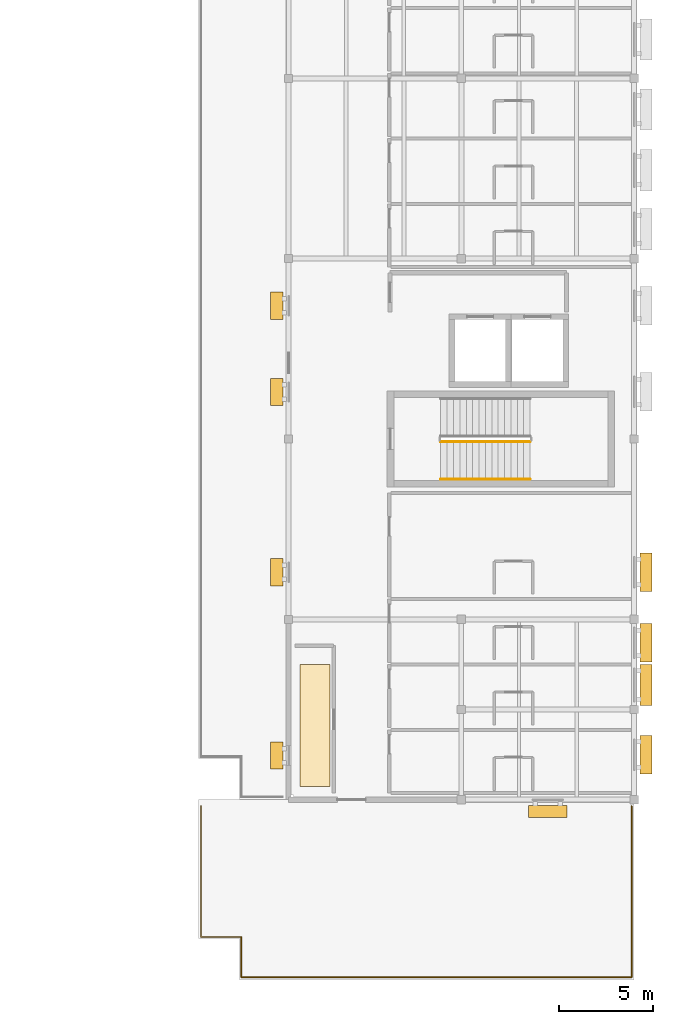
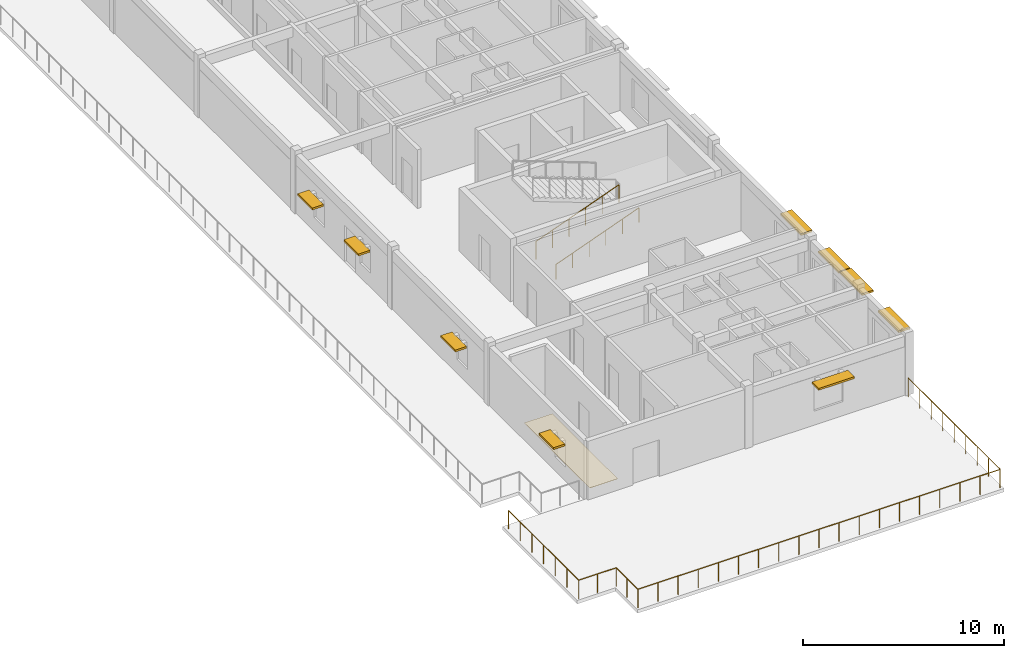
# One storey, part 14 of 18: 9 shading devices, 3 railings, 1 covering.
"""IFC4 building model written with IfcOpenShell, lengths in metres."""

from ifc_helpers import new_model, si_unit, direction, frame, origin, origin_2d, place, context, subcontext, project, spatial, polyline, rectangle, circle, outline, extrude, material, layer, layer_set, type_object, element, save


model = new_model("IFC4")

# Units and contexts
model_context = context("Model", 3, precision=1e-05, world=origin(), true_north=direction((0.0, 1.0)))
body_context = subcontext(model_context, "Body", "Model", "MODEL_VIEW")
ifc_project = project(units=[si_unit("LENGTHUNIT", "METRE"), si_unit("AREAUNIT", "SQUARE_METRE"), si_unit("VOLUMEUNIT", "CUBIC_METRE"), si_unit("PLANEANGLEUNIT", "RADIAN"), si_unit("MASSUNIT", "GRAM", prefix="KILO")], contexts=[model_context])

# Site, building, storey
site_placement = place(None, origin())
site = spatial("IfcSite", under=ifc_project, at=site_placement, CompositionType="ELEMENT")
building_placement = place(site_placement, origin())
building = spatial("IfcBuilding", under=site, at=building_placement, Name="Veldera Park Congress Hotel", CompositionType="ELEMENT")
storey_placement = place(building_placement, frame((0.0, 0.0, 31.39990234375)))
storey = spatial("IfcBuildingStorey", under=building, at=storey_placement, Name="L07", CompositionType="ELEMENT", Elevation=31.39990234375)

# Railing
ifc_material_1 = material(Name="Low-E Triple Insulating Glass Unit (SHGC 0.22)", Category="glass")
railing_type_1 = type_object("IfcRailingType", Name="BAL-TER115", PredefinedType="BALUSTRADE", material=ifc_material_1)
railing_1_placement = place(storey_placement, frame((60.93994140625, -28.5400390625, 0.0)))
element("IfcRailing", 1, at=railing_1_placement, inside=storey, type_object=railing_type_1, Name="L07 Terrace Guard 005", PredefinedType="BALUSTRADE", context=body_context, shape_type="SweptSolid", body=[
    extrude(circle(Radius=0.02392578125, at=origin_2d()), frame((0.0, 0.0, 1.1259765625), z_axis=(0.0, -1.0, 0.0), x_axis=(1.0, 0.0, 0.0)), (0.0, 0.0, 1.0), 6.969970703125),
    extrude(circle(Radius=0.02392578125, at=origin_2d()), frame((0.0, -6.969970703125, 1.1259765625), z_axis=(1.0, 0.0, 0.0), x_axis=(0.0, 1.0, 0.0)), (0.0, 0.0, 1.0), 2.150146484375),
    extrude(circle(Radius=0.02392578125, at=origin_2d()), frame((2.150146484375, -6.969970703125, 1.1259765625), z_axis=(0.0, -1.0, 0.0), x_axis=(1.0, 0.0, 0.0)), (0.0, 0.0, 1.0), 2.14990234375),
    extrude(circle(Radius=0.02392578125, at=origin_2d()), frame((2.150146484375, -9.119873046875, 1.1259765625), z_axis=(1.0, 0.0, 0.0), x_axis=(0.0, 1.0, 0.0)), (0.0, 0.0, 1.0), 20.77001953125),
    extrude(circle(Radius=0.02392578125, at=origin_2d()), frame((22.920166015625, -9.119873046875, 1.1259765625), z_axis=(0.0, 1.0, 0.0), x_axis=(-1.0, 0.0, 0.0)), (0.0, 0.0, 1.0), 9.119873046875),
    extrude(circle(Radius=0.02099609375, at=origin_2d()), origin(), (0.0, 0.0, 1.0), 1.101806640625),
    extrude(circle(Radius=0.02099609375, at=origin_2d()), frame((0.0, -1.16162109375, 0.0)), (0.0, 0.0, 1.0), 1.101806640625),
    extrude(circle(Radius=0.02099609375, at=origin_2d()), frame((0.0, -2.3232421875, 0.0)), (0.0, 0.0, 1.0), 1.101806640625),
    extrude(circle(Radius=0.02099609375, at=origin_2d()), frame((0.0, -3.48486328125, 0.0)), (0.0, 0.0, 1.0), 1.101806640625),
    extrude(circle(Radius=0.02099609375, at=origin_2d()), frame((0.0, -4.646728515625, 0.0)), (0.0, 0.0, 1.0), 1.101806640625),
    extrude(circle(Radius=0.02099609375, at=origin_2d()), frame((0.0, -5.808349609375, 0.0)), (0.0, 0.0, 1.0), 1.101806640625),
    extrude(circle(Radius=0.02099609375, at=origin_2d()), frame((0.0, -6.969970703125, 0.0)), (0.0, 0.0, 1.0), 1.101806640625),
    extrude(circle(Radius=0.02099609375, at=origin_2d()), frame((1.0751953125, -6.969970703125, 0.0)), (0.0, 0.0, 1.0), 1.101806640625),
    extrude(circle(Radius=0.02099609375, at=origin_2d()), frame((2.150146484375, -6.969970703125, 0.0)), (0.0, 0.0, 1.0), 1.101806640625),
    extrude(circle(Radius=0.02099609375, at=origin_2d()), frame((2.150146484375, -8.044921875, 0.0)), (0.0, 0.0, 1.0), 1.101806640625),
    extrude(circle(Radius=0.02099609375, at=origin_2d()), frame((2.150146484375, -9.119873046875, 0.0)), (0.0, 0.0, 1.0), 1.101806640625),
    extrude(circle(Radius=0.02099609375, at=origin_2d()), frame((3.303955078125, -9.119873046875, 0.0)), (0.0, 0.0, 1.0), 1.101806640625),
    extrude(circle(Radius=0.02099609375, at=origin_2d()), frame((4.4580078125, -9.119873046875, 0.0)), (0.0, 0.0, 1.0), 1.101806640625),
    extrude(circle(Radius=0.02099609375, at=origin_2d()), frame((5.61181640625, -9.119873046875, 0.0)), (0.0, 0.0, 1.0), 1.101806640625),
    extrude(circle(Radius=0.02099609375, at=origin_2d()), frame((6.765625, -9.119873046875, 0.0)), (0.0, 0.0, 1.0), 1.101806640625),
    extrude(circle(Radius=0.02099609375, at=origin_2d()), frame((7.919677734375, -9.119873046875, 0.0)), (0.0, 0.0, 1.0), 1.101806640625),
    extrude(circle(Radius=0.02099609375, at=origin_2d()), frame((9.073486328125, -9.119873046875, 0.0)), (0.0, 0.0, 1.0), 1.101806640625),
    extrude(circle(Radius=0.02099609375, at=origin_2d()), frame((10.227294921875, -9.119873046875, 0.0)), (0.0, 0.0, 1.0), 1.101806640625),
    extrude(circle(Radius=0.02099609375, at=origin_2d()), frame((11.38134765625, -9.119873046875, 0.0)), (0.0, 0.0, 1.0), 1.101806640625),
    extrude(circle(Radius=0.02099609375, at=origin_2d()), frame((12.53515625, -9.119873046875, 0.0)), (0.0, 0.0, 1.0), 1.101806640625),
    extrude(circle(Radius=0.02099609375, at=origin_2d()), frame((13.68896484375, -9.119873046875, 0.0)), (0.0, 0.0, 1.0), 1.101806640625),
    extrude(circle(Radius=0.02099609375, at=origin_2d()), frame((14.843017578125, -9.119873046875, 0.0)), (0.0, 0.0, 1.0), 1.101806640625),
    extrude(circle(Radius=0.02099609375, at=origin_2d()), frame((15.996826171875, -9.119873046875, 0.0)), (0.0, 0.0, 1.0), 1.101806640625),
    extrude(circle(Radius=0.02099609375, at=origin_2d()), frame((17.150634765625, -9.119873046875, 0.0)), (0.0, 0.0, 1.0), 1.101806640625),
    extrude(circle(Radius=0.02099609375, at=origin_2d()), frame((18.3046875, -9.119873046875, 0.0)), (0.0, 0.0, 1.0), 1.101806640625),
    extrude(circle(Radius=0.02099609375, at=origin_2d()), frame((19.45849609375, -9.119873046875, 0.0)), (0.0, 0.0, 1.0), 1.101806640625),
    extrude(circle(Radius=0.02099609375, at=origin_2d()), frame((20.6123046875, -9.119873046875, 0.0)), (0.0, 0.0, 1.0), 1.101806640625),
    extrude(circle(Radius=0.02099609375, at=origin_2d()), frame((21.766357421875, -9.119873046875, 0.0)), (0.0, 0.0, 1.0), 1.101806640625),
    extrude(circle(Radius=0.02099609375, at=origin_2d()), frame((22.920166015625, -9.119873046875, 0.0)), (0.0, 0.0, 1.0), 1.101806640625),
    extrude(circle(Radius=0.02099609375, at=origin_2d()), frame((22.920166015625, -7.97998046875, 0.0)), (0.0, 0.0, 1.0), 1.101806640625),
    extrude(circle(Radius=0.02099609375, at=origin_2d()), frame((22.920166015625, -6.83984375, 0.0)), (0.0, 0.0, 1.0), 1.101806640625),
    extrude(circle(Radius=0.02099609375, at=origin_2d()), frame((22.920166015625, -5.699951171875, 0.0)), (0.0, 0.0, 1.0), 1.101806640625),
    extrude(circle(Radius=0.02099609375, at=origin_2d()), frame((22.920166015625, -4.56005859375, 0.0)), (0.0, 0.0, 1.0), 1.101806640625),
    extrude(circle(Radius=0.02099609375, at=origin_2d()), frame((22.920166015625, -3.419921875, 0.0)), (0.0, 0.0, 1.0), 1.101806640625),
    extrude(circle(Radius=0.02099609375, at=origin_2d()), frame((22.920166015625, -2.280029296875, 0.0)), (0.0, 0.0, 1.0), 1.101806640625),
    extrude(circle(Radius=0.02099609375, at=origin_2d()), frame((22.920166015625, -1.139892578125, 0.0)), (0.0, 0.0, 1.0), 1.101806640625),
    extrude(circle(Radius=0.02099609375, at=origin_2d()), frame((22.920166015625, 0.0, 0.0)), (0.0, 0.0, 1.0), 1.101806640625),
])

# Covering
ifc_material_2 = material(Name="Engineered White Oak Plank Flooring", Category="wood")
ifc_layer = layer(ifc_material_2, 0.02197265625)
ifc_layer_set = layer_set([ifc_layer], Name="Engineered White Oak Plank Flooring")
covering_type = type_object("IfcCoveringType", Name="COV-FLR-OAK", PredefinedType="FLOORING", material=ifc_layer_set)
covering_placement = place(storey_placement, origin())
element("IfcCovering", 2, at=covering_placement, inside=storey, type_object=covering_type, Name="Sonoran Sky Salon Oak Flooring", PredefinedType="FLOORING", context=body_context, shape_type="SweptSolid", body=[
    extrude(outline(polyline([(66.199951171875, -27.5), (67.800048828125, -27.5), (67.800048828125, -21.0), (66.199951171875, -21.0), (66.199951171875, -27.5)])), origin(), (0.0, 0.0, 1.0), 0.022216796875),
])

# Railings
ifc_material_3 = material(Name="Steel ASTM A992 Gr.50", Category="steel")
railing_type_2 = type_object("IfcRailingType", Name="GRD-ST110", PredefinedType="GUARDRAIL", material=ifc_material_3)
railing_2_placement = place(storey_placement, frame((73.699951171875, -9.14990234375, 0.126708984375)))
element("IfcRailing", 3, at=railing_2_placement, inside=storey, type_object=railing_type_2, Name="L07 ST2 stair guard 1", PredefinedType="GUARDRAIL", context=body_context, shape_type="SweptSolid", body=[
    extrude(circle(Radius=0.02392578125, at=origin_2d()), frame((0.0, 0.0, 1.076171875), z_axis=(0.937075640343, 0.0, 0.349126401572), x_axis=(0.0, 1.0, 0.0)), (0.0, 0.0, 1.0), 5.07958984375),
    extrude(circle(Radius=0.02099609375, at=origin_2d()), origin(), (0.0, 0.0, 1.0), 1.052001953125),
    extrude(circle(Radius=0.02099609375, at=origin_2d()), frame((0.951904296875, 0.0, 0.354736328125)), (0.0, 0.0, 1.0), 1.052001953125),
    extrude(circle(Radius=0.02099609375, at=origin_2d()), frame((1.904052734375, 0.0, 0.70947265625)), (0.0, 0.0, 1.0), 1.052001953125),
    extrude(circle(Radius=0.02099609375, at=origin_2d()), frame((2.85595703125, 0.0, 1.06396484375)), (0.0, 0.0, 1.0), 1.052001953125),
    extrude(circle(Radius=0.02099609375, at=origin_2d()), frame((3.80810546875, 0.0, 1.418701171875)), (0.0, 0.0, 1.0), 1.052001953125),
    extrude(circle(Radius=0.02099609375, at=origin_2d()), frame((4.760009765625, 0.0, 1.7734375)), (0.0, 0.0, 1.0), 1.052001953125),
])
railing_type_3 = type_object("IfcRailingType", Name="HRL-920", PredefinedType="HANDRAIL", material=ifc_material_3)
railing_3_placement = place(storey_placement, frame((73.699951171875, -11.14990234375, 0.126708984375)))
element("IfcRailing", 4, at=railing_3_placement, inside=storey, type_object=railing_type_3, Name="L07 ST2 stair handrail 1", PredefinedType="HANDRAIL", context=body_context, shape_type="SweptSolid", body=[
    extrude(circle(Radius=0.02392578125, at=origin_2d()), frame((0.0, 0.0, 0.89599609375), z_axis=(0.937075640343, 0.0, 0.349126401572), x_axis=(0.0, 1.0, 0.0)), (0.0, 0.0, 1.0), 5.07958984375),
    extrude(circle(Radius=0.02099609375, at=origin_2d()), origin(), (0.0, 0.0, 1.0), 0.871826171875),
    extrude(circle(Radius=0.02099609375, at=origin_2d()), frame((0.951904296875, 0.0, 0.354736328125)), (0.0, 0.0, 1.0), 0.871826171875),
    extrude(circle(Radius=0.02099609375, at=origin_2d()), frame((1.904052734375, 0.0, 0.70947265625)), (0.0, 0.0, 1.0), 0.871826171875),
    extrude(circle(Radius=0.02099609375, at=origin_2d()), frame((2.85595703125, 0.0, 1.06396484375)), (0.0, 0.0, 1.0), 0.871826171875),
    extrude(circle(Radius=0.02099609375, at=origin_2d()), frame((3.80810546875, 0.0, 1.418701171875)), (0.0, 0.0, 1.0), 0.871826171875),
    extrude(circle(Radius=0.02099609375, at=origin_2d()), frame((4.760009765625, 0.0, 1.7734375)), (0.0, 0.0, 1.0), 0.871826171875),
])

# Shading devices
ifc_material_4 = material(Name="Glulam GL28h (NDS 24F-V4)", Category="wood")
shading_device_type = type_object("IfcShadingDeviceType", Name="SHD-LVR300", PredefinedType="JALOUSIE", material=ifc_material_4)
for number, where, z_axis, x_axis, name in (
    (5, (79.39990234375, -28.824951171875, 2.669921875), (0.0, 0.0, 1.0), (1.0, 0.0, 0.0), "Glulam Solar Shade 187"),
    (6, (84.625, -25.800048828125, 2.669921875), (0.0, 0.0, 1.0), (0.0, 1.0, 0.0), "Glulam Solar Shade 188"),
    (7, (84.625, -16.08837890625, 2.669921875), (0.0, 0.0, 1.0), (0.0, 1.0, 0.0), "Glulam Solar Shade 189"),
):
    element("IfcShadingDevice", number, at=place(storey_placement, frame(where, z_axis=z_axis, x_axis=x_axis)), inside=storey, type_object=shading_device_type, Name=name, PredefinedType="JALOUSIE", context=body_context, shape_type="SweptSolid", body=[
        extrude(rectangle(XDim=2.050048828125, YDim=0.64990234375, at=origin_2d()), origin(), (0.0, 0.0, 1.0), 0.1201171875),
    ])
for number, where, z_axis, x_axis, name in (
    (8, (64.97509765625, -1.904052734375, 2.320068359375), (0.0, 0.0, 1.0), (0.0, -1.0, 0.0), "Glulam Solar Shade 205"),
    (9, (64.97509765625, -6.49609375, 2.320068359375), (0.0, 0.0, 1.0), (0.0, -1.0, 0.0), "Glulam Solar Shade 206"),
    (10, (64.97509765625, -16.095947265625, 2.320068359375), (0.0, 0.0, 1.0), (0.0, -1.0, 0.0), "Glulam Solar Shade 207"),
    (11, (64.97509765625, -25.85205078125, 2.320068359375), (0.0, 0.0, 1.0), (0.0, -1.0, 0.0), "Glulam Solar Shade 208"),
):
    element("IfcShadingDevice", number, at=place(storey_placement, frame(where, z_axis=z_axis, x_axis=x_axis)), inside=storey, type_object=shading_device_type, Name=name, PredefinedType="JALOUSIE", context=body_context, shape_type="SweptSolid", body=[
        extrude(rectangle(XDim=1.449951171875, YDim=0.64990234375, at=origin_2d()), origin(), (0.0, 0.0, 1.0), 0.1201171875),
    ])
shading_device_1_placement = place(storey_placement, frame((84.625, -22.093505859375, 2.719970703125), z_axis=(0.0, 0.0, 1.0), x_axis=(0.0, 1.0, 0.0)))
element("IfcShadingDevice", 12, at=shading_device_1_placement, inside=storey, type_object=shading_device_type, Name="Glulam Solar Shade 456", PredefinedType="JALOUSIE", context=body_context, shape_type="SweptSolid", body=[
    extrude(rectangle(XDim=2.199951171875, YDim=0.64990234375, at=origin_2d()), origin(), (0.0, 0.0, 1.0), 0.1201171875),
])
shading_device_2_placement = place(storey_placement, frame((84.625, -19.8564453125, 2.669921875), z_axis=(0.0, 0.0, 1.0), x_axis=(0.0, 1.0, 0.0)))
element("IfcShadingDevice", 13, at=shading_device_2_placement, inside=storey, type_object=shading_device_type, Name="Glulam Solar Shade 457", PredefinedType="JALOUSIE", context=body_context, shape_type="SweptSolid", body=[
    extrude(rectangle(XDim=2.050048828125, YDim=0.64990234375, at=origin_2d()), origin(), (0.0, 0.0, 1.0), 0.1201171875),
])

save(model, "model.ifc")
